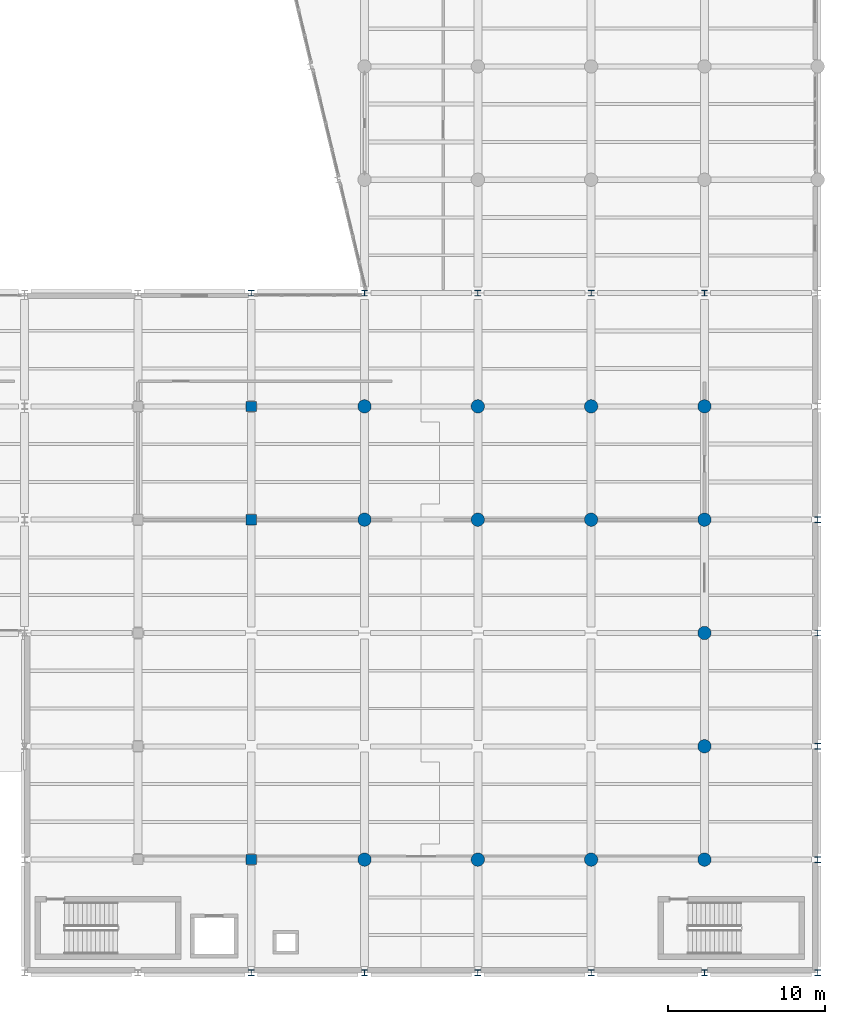
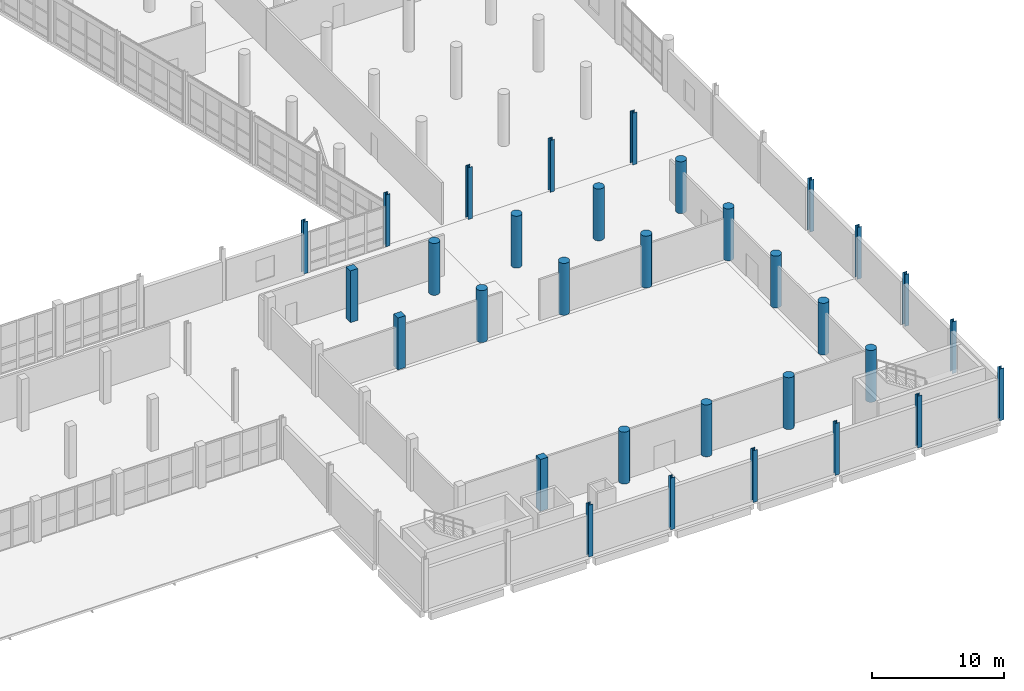
# One storey, part 9 of 127: 32 columns.
"""IFC4 building model written with IfcOpenShell, lengths in metres."""

from ifc_helpers import new_model, si_unit, direction, frame, origin, origin_2d, place, context, subcontext, project, spatial, rectangle, circle, i_section, extrude, material, material_profile, profile_set, type_object, element, save


model = new_model("IFC4")

# Units and contexts
model_context = context("Model", 3, precision=1e-05, world=origin(), true_north=direction((0.0, 1.0)))
body_context = subcontext(model_context, "Body", "Model", "MODEL_VIEW")
ifc_project = project(units=[si_unit("LENGTHUNIT", "METRE"), si_unit("AREAUNIT", "SQUARE_METRE"), si_unit("VOLUMEUNIT", "CUBIC_METRE"), si_unit("PLANEANGLEUNIT", "RADIAN"), si_unit("MASSUNIT", "GRAM", prefix="KILO")], contexts=[model_context])

# Site, building, storey
site_placement = place(None, origin())
site = spatial("IfcSite", under=ifc_project, at=site_placement, CompositionType="ELEMENT")
building_placement = place(site_placement, origin())
building = spatial("IfcBuilding", under=site, at=building_placement, Name="Kalmorath City Hall", CompositionType="ELEMENT")
storey_placement = place(building_placement, frame((0.0, 0.0, 5.39990234375)))
storey = spatial("IfcBuildingStorey", under=building, at=storey_placement, Name="L01", CompositionType="ELEMENT", Elevation=5.39990234375)

# Columns
ifc_material_1 = material(Name="Concrete C50/60", Category="concrete")
ifc_material_profile_1 = material_profile(ifc_material_1, circle(Radius=0.425048828125, at=origin_2d()), Name="RC-COL-D850")
ifc_profile_set_1 = profile_set([ifc_material_profile_1], Name="Concrete C50/60")
column_type_1 = type_object("IfcColumnType", Name="Circular concrete column D850", PredefinedType="COLUMN", material=ifc_profile_set_1)
for number, where, z_axis, x_axis, name in (
    (1, (136.800048828125, 7.199951171875, 0.0), (0.0, 0.0, 1.0), (1.0, 0.0, 0.0), "L01 column C7 (20/2)"),
    (2, (136.800048828125, 28.800048828125, 0.0), (0.0, 0.0, 1.0), (1.0, 0.0, 0.0), "L01 column C7 (20/5)"),
    (3, (136.800048828125, 36.0, 0.0), (0.0, 0.0, 1.0), (1.0, 0.0, 0.0), "L01 column C7 (20/6)"),
    (4, (144.0, 7.199951171875, 0.0), (0.0, 0.0, 1.0), (1.0, 0.0, 0.0), "L01 column C7 (21/2)"),
    (5, (144.0, 28.800048828125, 0.0), (0.0, 0.0, 1.0), (1.0, 0.0, 0.0), "L01 column C7 (21/5)"),
    (6, (144.0, 36.0, 0.0), (0.0, 0.0, 1.0), (1.0, 0.0, 0.0), "L01 column C7 (21/6)"),
    (7, (151.199951171875, 7.199951171875, 0.0), (0.0, 0.0, 1.0), (1.0, 0.0, 0.0), "L01 column C7 (22/2)"),
    (8, (151.199951171875, 28.800048828125, 0.0), (0.0, 0.0, 1.0), (1.0, 0.0, 0.0), "L01 column C7 (22/5)"),
    (9, (151.199951171875, 36.0, 0.0), (0.0, 0.0, 1.0), (1.0, 0.0, 0.0), "L01 column C7 (22/6)"),
    (10, (158.39990234375, 7.199951171875, 0.0), (0.0, 0.0, 1.0), (1.0, 0.0, 0.0), "L01 column C7 (23/2)"),
    (11, (158.39990234375, 14.39990234375, 0.0), (0.0, 0.0, 1.0), (1.0, 0.0, 0.0), "L01 column C7 (23/3)"),
    (12, (158.39990234375, 21.60009765625, 0.0), (0.0, 0.0, 1.0), (1.0, 0.0, 0.0), "L01 column C7 (23/4)"),
    (13, (158.39990234375, 28.800048828125, 0.0), (0.0, 0.0, 1.0), (1.0, 0.0, 0.0), "L01 column C7 (23/5)"),
    (14, (158.39990234375, 36.0, 0.0), (0.0, 0.0, 1.0), (1.0, 0.0, 0.0), "L01 column C7 (23/6)"),
):
    element("IfcColumn", number, at=place(storey_placement, frame(where, z_axis=z_axis, x_axis=x_axis)), inside=storey, type_object=column_type_1, Name=name, PredefinedType="COLUMN", context=body_context, shape_type="SweptSolid", body=[
        extrude(circle(Radius=0.425048828125, at=origin_2d()), origin(), (0.0, 0.0, 1.0), 4.800048828125),
    ])
ifc_material_2 = material(Name="Concrete C50/60", Category="concrete")
ifc_material_profile_2 = material_profile(ifc_material_2, rectangle(XDim=0.64990234375, YDim=0.64990234375, at=origin_2d()), Name="RC-COL-650X650")
ifc_profile_set_2 = profile_set([ifc_material_profile_2], Name="Concrete C50/60")
column_type_2 = type_object("IfcColumnType", Name="Concrete column 650x650", PredefinedType="COLUMN", material=ifc_profile_set_2)
for number, where, z_axis, x_axis, name in (
    (15, (129.60009765625, 7.199951171875, 0.0), (0.0, 0.0, 1.0), (1.0, 0.0, 0.0), "L01 column C5 (19/2)"),
    (16, (129.60009765625, 28.800048828125, 0.0), (0.0, 0.0, 1.0), (1.0, 0.0, 0.0), "L01 column C5 (19/5)"),
    (17, (129.60009765625, 36.0, 0.0), (0.0, 0.0, 1.0), (1.0, 0.0, 0.0), "L01 column C5 (19/6)"),
):
    element("IfcColumn", number, at=place(storey_placement, frame(where, z_axis=z_axis, x_axis=x_axis)), inside=storey, type_object=column_type_2, Name=name, PredefinedType="COLUMN", context=body_context, shape_type="SweptSolid", body=[
        extrude(rectangle(XDim=0.64990234375, YDim=0.64990234375, at=origin_2d()), origin(), (0.0, 0.0, 1.0), 4.800048828125),
    ])
ifc_material_3 = material(Name="Steel ASTM A992 Grade 50", Category="steel")
ifc_material_profile_3 = material_profile(ifc_material_3, i_section(OverallWidth=0.3740234375, OverallDepth=0.3720703125, WebThickness=0.016357421875, FlangeThickness=0.026123046875, FilletRadius=0.01806640625, at=origin_2d()), Name="W14X132")
ifc_profile_set_3 = profile_set([ifc_material_profile_3], Name="Steel ASTM A992 Grade 50")
column_type_3 = type_object("IfcColumnType", Name="Steel wide-flange column W14X132", PredefinedType="COLUMN", material=ifc_profile_set_3)
for number, where, z_axis, x_axis, name in (
    (18, (129.60009765625, 0.0, 0.0), (0.0, 0.0, 1.0), (1.0, 0.0, 0.0), "L01 column SC2 (19/1)"),
    (19, (129.60009765625, 43.199951171875, 0.0), (0.0, 0.0, 1.0), (1.0, 0.0, 0.0), "L01 column SC2 (19/7)"),
    (20, (136.800048828125, 0.0, 0.0), (0.0, 0.0, 1.0), (1.0, 0.0, 0.0), "L01 column SC2 (20/1)"),
    (21, (136.800048828125, 43.199951171875, 0.0), (0.0, 0.0, 1.0), (1.0, 0.0, 0.0), "L01 column SC2 (20/7)"),
    (22, (144.0, 0.0, 0.0), (0.0, 0.0, 1.0), (1.0, 0.0, 0.0), "L01 column SC2 (21/1)"),
    (23, (144.0, 43.199951171875, 0.0), (0.0, 0.0, 1.0), (1.0, 0.0, 0.0), "L01 column SC2 (21/7)"),
    (24, (151.199951171875, 0.0, 0.0), (0.0, 0.0, 1.0), (1.0, 0.0, 0.0), "L01 column SC2 (22/1)"),
    (25, (151.199951171875, 43.199951171875, 0.0), (0.0, 0.0, 1.0), (1.0, 0.0, 0.0), "L01 column SC2 (22/7)"),
    (26, (158.39990234375, 0.0, 0.0), (0.0, 0.0, 1.0), (1.0, 0.0, 0.0), "L01 column SC2 (23/1)"),
    (27, (158.39990234375, 43.199951171875, 0.0), (0.0, 0.0, 1.0), (1.0, 0.0, 0.0), "L01 column SC2 (23/7)"),
    (28, (165.60009765625, 0.0, 0.0), (0.0, 0.0, 1.0), (1.0, 0.0, 0.0), "L01 column SC2 (24/1)"),
    (29, (165.60009765625, 7.199951171875, 0.0), (0.0, 0.0, 1.0), (1.0, 0.0, 0.0), "L01 column SC2 (24/2)"),
    (30, (165.60009765625, 14.39990234375, 0.0), (0.0, 0.0, 1.0), (1.0, 0.0, 0.0), "L01 column SC2 (24/3)"),
    (31, (165.60009765625, 21.60009765625, 0.0), (0.0, 0.0, 1.0), (1.0, 0.0, 0.0), "L01 column SC2 (24/4)"),
    (32, (165.60009765625, 28.800048828125, 0.0), (0.0, 0.0, 1.0), (1.0, 0.0, 0.0), "L01 column SC2 (24/5)"),
):
    element("IfcColumn", number, at=place(storey_placement, frame(where, z_axis=z_axis, x_axis=x_axis)), inside=storey, type_object=column_type_3, Name=name, PredefinedType="COLUMN", context=body_context, shape_type="SweptSolid", body=[
        extrude(i_section(OverallWidth=0.3740234375, OverallDepth=0.3720703125, WebThickness=0.016357421875, FlangeThickness=0.026123046875, FilletRadius=0.01806640625, at=origin_2d()), origin(), (0.0, 0.0, 1.0), 4.800048828125),
    ])

save(model, "model.ifc")
